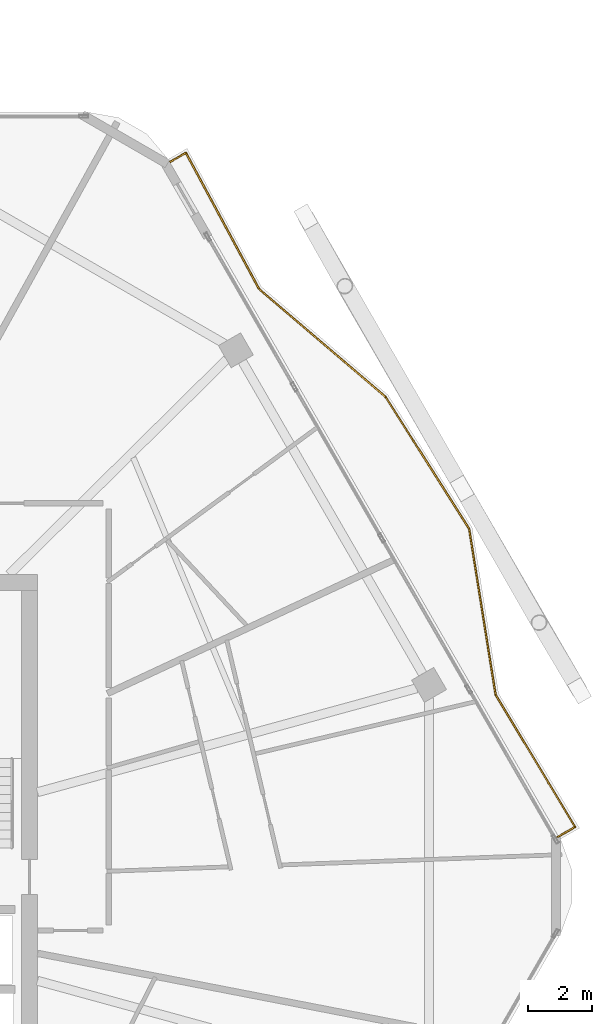
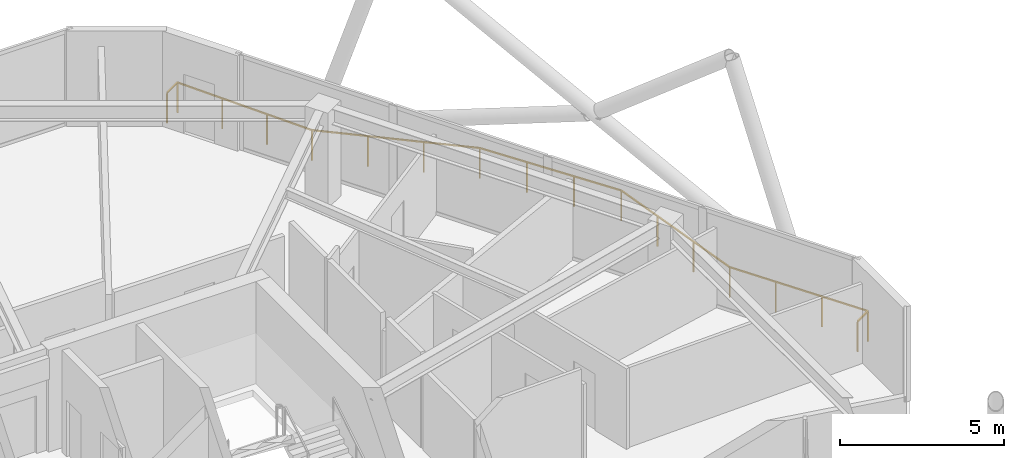
# One storey, part 23 of 23: 1 railing.
"""IFC4 building model written with IfcOpenShell, lengths in metres."""

from ifc_helpers import new_model, si_unit, direction, frame, origin, origin_2d, place, context, subcontext, project, spatial, rectangle, extrude, material, type_object, element, save


model = new_model("IFC4")

# Units and contexts
model_context = context("Model", 3, precision=1e-05, world=origin(), true_north=direction((0.0, 1.0)))
body_context = subcontext(model_context, "Body", "Model", "MODEL_VIEW")
ifc_project = project(units=[si_unit("LENGTHUNIT", "METRE"), si_unit("AREAUNIT", "SQUARE_METRE"), si_unit("VOLUMEUNIT", "CUBIC_METRE"), si_unit("PLANEANGLEUNIT", "RADIAN"), si_unit("MASSUNIT", "GRAM", prefix="KILO")], contexts=[model_context])

# Site, building, storey
site_placement = place(None, origin())
site = spatial("IfcSite", under=ifc_project, at=site_placement, CompositionType="ELEMENT")
building_placement = place(site_placement, origin())
building = spatial("IfcBuilding", under=site, at=building_placement, Name="Zuhravey Tower", CompositionType="ELEMENT")
storey_placement = place(building_placement, frame((0.0, 0.0, 331.0)))
storey = spatial("IfcBuildingStorey", under=building, at=storey_placement, Name="L84", CompositionType="ELEMENT", Elevation=331.0)

# Railing
ifc_material = material(Name="Stainless steel 316 and laminated glass", Category="steel")
railing_type = type_object("IfcRailingType", Name="Balcony & Terrace Guardrail 1150", PredefinedType="BALUSTRADE", material=ifc_material)
railing_placement = place(storey_placement, frame((50.83837890625, 54.617431640625, 0.0)))
element("IfcRailing", 1, at=railing_placement, inside=storey, type_object=railing_type, Name="L84 Face 1 Wave Balcony Guardrail GR1", PredefinedType="BALUSTRADE", context=body_context, shape_type="SweptSolid", body=[
    extrude(rectangle(XDim=0.048095703125, YDim=0.048095703125, at=origin_2d()), frame((0.001708984375, 0.0009765625, 1.1259765625), z_axis=(0.865898279276, 0.500220121494, 0.0), x_axis=(-0.500220121494, 0.865898279276, 0.0)), (0.0, 0.0, 1.0), 0.6328125),
    extrude(rectangle(XDim=0.048095703125, YDim=0.048095703125, at=origin_2d()), frame((0.552490234375, 0.31689453125, 1.1259765625), z_axis=(0.473728667541, -0.880670851993, 0.0), x_axis=(0.880670851993, 0.473728667541, 0.0)), (0.0, 0.0, 1.0), 4.8212890625),
    extrude(rectangle(XDim=0.048095703125, YDim=0.048095703125, at=origin_2d()), frame((2.8388671875, -3.93212890625, 1.1259765625), z_axis=(0.760119477369, -0.649783333216, 0.0), x_axis=(0.649783333216, 0.760119477369, 0.0)), (0.0, 0.0, 1.0), 5.20458984375),
    extrude(rectangle(XDim=0.048095703125, YDim=0.048095703125, at=origin_2d()), frame((6.797607421875, -7.317138671875, 1.1259765625), z_axis=(0.535523734062, -0.844520177531, 0.0), x_axis=(0.844520177531, 0.535523734062, 0.0)), (0.0, 0.0, 1.0), 4.871826171875),
    extrude(rectangle(XDim=0.048095703125, YDim=0.048095703125, at=origin_2d()), frame((9.407958984375, -11.43505859375, 1.1259765625), z_axis=(0.15751373939, -0.987516795758, 0.0), x_axis=(0.987516795758, 0.15751373939, 0.0)), (0.0, 0.0, 1.0), 5.248779296875),
    extrude(rectangle(XDim=0.048095703125, YDim=0.048095703125, at=origin_2d()), frame((10.236083984375, -16.6220703125, 1.1259765625), z_axis=(0.515061065918, -0.857153485891, 0.0), x_axis=(0.857153485891, 0.515061065918, 0.0)), (0.0, 0.0, 1.0), 4.82177734375),
    extrude(rectangle(XDim=0.048095703125, YDim=0.048095703125, at=origin_2d()), frame((12.718994140625, -20.7578125, 1.1259765625), z_axis=(-0.865949780596, -0.500130960335, 0.0), x_axis=(0.500130960335, -0.865949780596, 0.0)), (0.0, 0.0, 1.0), 0.634033203125),
    extrude(rectangle(XDim=0.0419921875, YDim=0.0419921875, at=origin_2d()), origin(), (0.0, 0.0, 1.0), 1.099853515625),
    extrude(rectangle(XDim=0.0419921875, YDim=0.0419921875, at=origin_2d()), frame((0.551513671875, 0.318603515625, 0.0)), (0.0, 0.0, 1.0), 1.099853515625),
    extrude(rectangle(XDim=0.0419921875, YDim=0.0419921875, at=origin_2d()), frame((1.3134765625, -1.097900390625, 0.0)), (0.0, 0.0, 1.0), 1.099853515625),
    extrude(rectangle(XDim=0.0419921875, YDim=0.0419921875, at=origin_2d()), frame((2.075439453125, -2.514404296875, 0.0)), (0.0, 0.0, 1.0), 1.099853515625),
    extrude(rectangle(XDim=0.0419921875, YDim=0.0419921875, at=origin_2d()), frame((2.83740234375, -3.930908203125, 0.0)), (0.0, 0.0, 1.0), 1.099853515625),
    extrude(rectangle(XDim=0.0419921875, YDim=0.0419921875, at=origin_2d()), frame((4.1572265625, -5.05908203125, 0.0)), (0.0, 0.0, 1.0), 1.099853515625),
    extrude(rectangle(XDim=0.0419921875, YDim=0.0419921875, at=origin_2d()), frame((5.476806640625, -6.187255859375, 0.0)), (0.0, 0.0, 1.0), 1.099853515625),
    extrude(rectangle(XDim=0.0419921875, YDim=0.0419921875, at=origin_2d()), frame((6.796630859375, -7.3154296875, 0.0)), (0.0, 0.0, 1.0), 1.099853515625),
    extrude(rectangle(XDim=0.0419921875, YDim=0.0419921875, at=origin_2d()), frame((7.6669921875, -8.68798828125, 0.0)), (0.0, 0.0, 1.0), 1.099853515625),
    extrude(rectangle(XDim=0.0419921875, YDim=0.0419921875, at=origin_2d()), frame((8.537353515625, -10.060546875, 0.0)), (0.0, 0.0, 1.0), 1.099853515625),
    extrude(rectangle(XDim=0.0419921875, YDim=0.0419921875, at=origin_2d()), frame((9.40771484375, -11.43310546875, 0.0)), (0.0, 0.0, 1.0), 1.099853515625),
    extrude(rectangle(XDim=0.0419921875, YDim=0.0419921875, at=origin_2d()), frame((9.68359375, -13.162109375, 0.0)), (0.0, 0.0, 1.0), 1.099853515625),
    extrude(rectangle(XDim=0.0419921875, YDim=0.0419921875, at=origin_2d()), frame((9.959228515625, -14.891357421875, 0.0)), (0.0, 0.0, 1.0), 1.099853515625),
    extrude(rectangle(XDim=0.0419921875, YDim=0.0419921875, at=origin_2d()), frame((10.235107421875, -16.620361328125, 0.0)), (0.0, 0.0, 1.0), 1.099853515625),
    extrude(rectangle(XDim=0.0419921875, YDim=0.0419921875, at=origin_2d()), frame((11.063720703125, -17.999267578125, 0.0)), (0.0, 0.0, 1.0), 1.099853515625),
    extrude(rectangle(XDim=0.0419921875, YDim=0.0419921875, at=origin_2d()), frame((11.89208984375, -19.3779296875, 0.0)), (0.0, 0.0, 1.0), 1.099853515625),
    extrude(rectangle(XDim=0.0419921875, YDim=0.0419921875, at=origin_2d()), frame((12.720703125, -20.7568359375, 0.0)), (0.0, 0.0, 1.0), 1.099853515625),
    extrude(rectangle(XDim=0.0419921875, YDim=0.0419921875, at=origin_2d()), frame((12.168212890625, -21.075927734375, 0.0)), (0.0, 0.0, 1.0), 1.099853515625),
])

save(model, "model.ifc")
